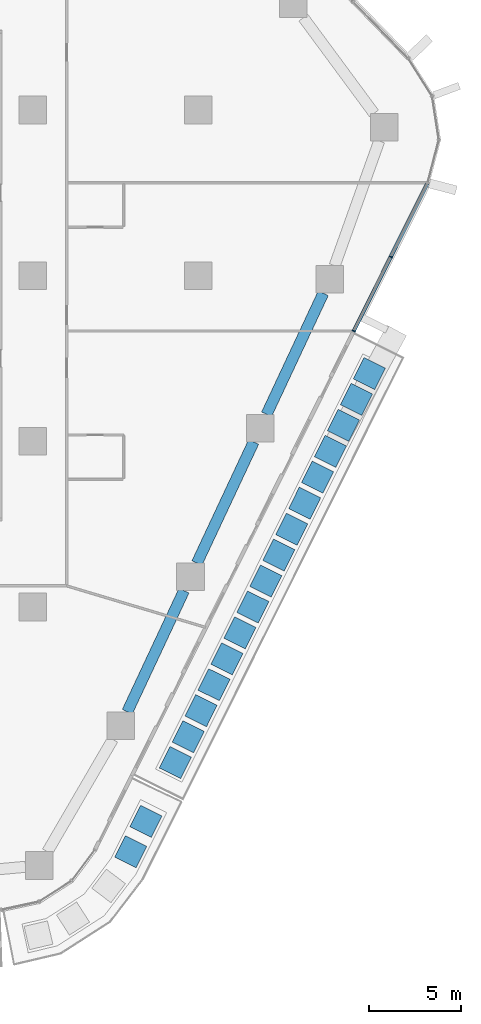
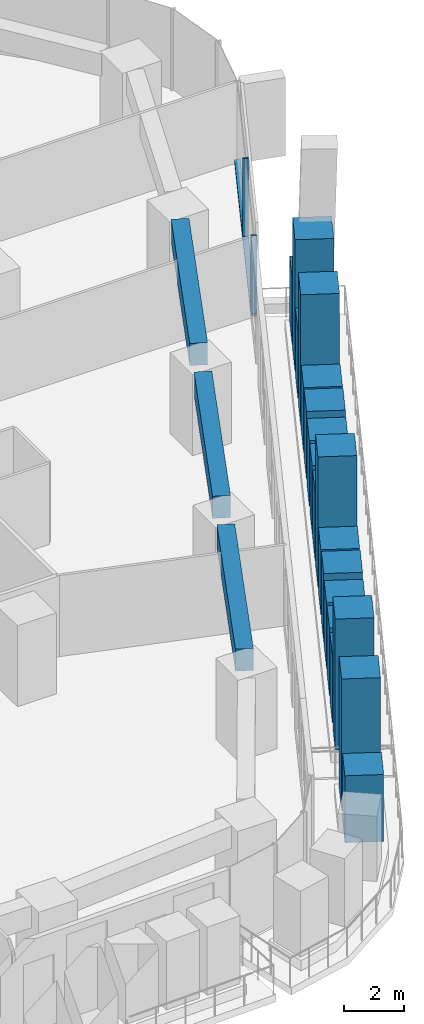
# One storey, part 7 of 26: 21 members, 3 beams, 1 element without a shape of its own.
"""IFC4 building model written with IfcOpenShell, lengths in metres."""

import ifcopenshell
import ifcopenshell.guid

model = None  # the IFC model being written
_history = None  # IfcOwnerHistory: only IFC2X3 demands one
_inside = {}  # id of a spatial element -> (the spatial element, [elements in it])
_under = {}  # id of a project, library or spatial element -> (it, [spatial elements below it])
_declared = {}  # id of a project -> (the project, [libraries it declares])
_typed = {}  # id of a type object -> (the type object, [elements of that type])
_made_of = {}  # id of a material, layer set ... -> (it, [elements and type objects made of it])


def new_model(schema):
    """Start an empty IFC model of exactly this schema.

    Asked for "IFC4X3", IfcOpenShell would pick the latest addendum, in which some entities
    have other attributes; the version numbers below select the first issue.
    IFC2X3 requires an IfcOwnerHistory on every rooted entity: one is made here for all.
    """
    global model, _history
    if schema == "IFC4X3":
        model = ifcopenshell.file(schema_version=(4, 3, 0, 0))
    else:
        model = ifcopenshell.file(schema=schema)
    _inside.clear()
    _under.clear()
    _declared.clear()
    _typed.clear()
    _made_of.clear()
    _history = None
    if model.schema == "IFC2X3":
        org = make("IfcOrganization", Name="unknown")
        user = make(
            "IfcPersonAndOrganization",
            ThePerson=make("IfcPerson", FamilyName="unknown"),
            TheOrganization=org,
        )
        app = make(
            "IfcApplication",
            ApplicationDeveloper=org,
            Version="unknown",
            ApplicationFullName="unknown",
            ApplicationIdentifier="unknown",
        )
        _history = make(
            "IfcOwnerHistory",
            OwningUser=user,
            OwningApplication=app,
            ChangeAction="ADDED",
            CreationDate=0,
        )
    return model


def make(cls, **values):
    """One entity of the class cls with the attributes given. An attribute that is None is left unset."""
    return model.create_entity(
        cls, **{name: value for name, value in values.items() if value is not None}
    )


def rooted(cls, **values):
    """An entity with a GlobalId (a new one), such as an element, a storey or a relation."""
    return make(cls, GlobalId=ifcopenshell.guid.new(), OwnerHistory=_history, **values)


def si_unit(unit_type, name, prefix=None):
    """IfcSIUnit, for example si_unit("LENGTHUNIT", "METRE", prefix="MILLI")."""
    return make("IfcSIUnit", UnitType=unit_type, Prefix=prefix, Name=name)


def assignment(units):
    """IfcUnitAssignment: the units of a project."""
    return None if units is None else make("IfcUnitAssignment", Units=units)


def point(xyz):
    """IfcCartesianPoint."""
    return None if xyz is None else make("IfcCartesianPoint", Coordinates=xyz)


def direction(xyz):
    """IfcDirection."""
    return None if xyz is None else make("IfcDirection", DirectionRatios=xyz)


def frame(location, z_axis=None, x_axis=None):
    """IfcAxis2Placement3D, a coordinate frame: its origin and axes. An axis left out is left unset."""
    return make(
        "IfcAxis2Placement3D",
        Location=point(location),
        Axis=direction(z_axis),
        RefDirection=direction(x_axis),
    )


def frame_2d(location, x_axis=None):
    """IfcAxis2Placement2D, a coordinate frame in the plane: its origin and x axis."""
    return make(
        "IfcAxis2Placement2D", Location=point(location), RefDirection=direction(x_axis)
    )


def origin():
    """The frame at (0, 0, 0) with its axes left unset."""
    return frame((0.0, 0.0, 0.0))


def origin_2d():
    """The frame at (0, 0) in the plane with its x axis left unset."""
    return frame_2d((0.0, 0.0))


def place(relative_to, where):
    """IfcLocalPlacement: puts the frame where relative to a parent placement (None: the world)."""
    return make(
        "IfcLocalPlacement", PlacementRelTo=relative_to, RelativePlacement=where
    )


def context(
    kind, dimensions, precision=None, world=None, true_north=None, identifier=None
):
    """IfcGeometricRepresentationContext, for example the 3D "Model" context."""
    return make(
        "IfcGeometricRepresentationContext",
        ContextIdentifier=identifier,
        ContextType=kind,
        CoordinateSpaceDimension=dimensions,
        Precision=precision,
        WorldCoordinateSystem=world,
        TrueNorth=true_north,
    )


def subcontext(parent, identifier, kind, view, scale=None):
    """IfcGeometricRepresentationSubContext, for example "Body" below "Model"."""
    return make(
        "IfcGeometricRepresentationSubContext",
        ContextIdentifier=identifier,
        ContextType=kind,
        ParentContext=parent,
        TargetScale=scale,
        TargetView=view,
    )


def project(units=None, contexts=None):
    """IfcProject with its units and contexts."""
    return rooted(
        "IfcProject",
        Name="project",
        RepresentationContexts=contexts,
        UnitsInContext=assignment(units),
    )


def spatial(cls, under=None, at=None, **own):
    """A site, building, storey or space (cls), placed at a placement, below another one or the project."""
    s = rooted(cls, ObjectPlacement=at, **own)
    if under is not None:
        _under.setdefault(under.id(), (under, []))[1].append(s)
    return s


def profile(cls, at=None, kind="AREA", **sizes):
    """A parametric profile (cls). Its sizes go by their IFC names, for example OverallWidth=200.0."""
    return make(cls, ProfileType=kind, Position=at, **sizes)


def rectangle(**sizes):
    """IfcRectangleProfileDef."""
    return profile("IfcRectangleProfileDef", **sizes)


def extrude(swept, where, along, depth):
    """IfcExtrudedAreaSolid: the profile swept, set in the frame where, extruded along a direction by depth."""
    return make(
        "IfcExtrudedAreaSolid",
        SweptArea=swept,
        Position=where,
        ExtrudedDirection=direction(along),
        Depth=depth,
    )


def shape(context_of_items, identifier, shape_type, items):
    """IfcShapeRepresentation: the items that make up one representation, for example the "Body"."""
    return make(
        "IfcShapeRepresentation",
        ContextOfItems=context_of_items,
        RepresentationIdentifier=identifier,
        RepresentationType=shape_type,
        Items=items,
    )


def material(Name=None, Category=None):
    """IfcMaterial."""
    return make("IfcMaterial", Name=Name, Category=Category)


def layer(
    of_material, thickness, ventilated=None, Name=None, Category=None, Priority=None
):
    """IfcMaterialLayer: one layer of a wall or slab, of a material (None: an air gap)."""
    return make(
        "IfcMaterialLayer",
        Material=of_material,
        LayerThickness=thickness,
        IsVentilated=ventilated,
        Name=Name,
        Category=Category,
        Priority=Priority,
    )


def layer_set(layers, Name=None):
    """IfcMaterialLayerSet."""
    return make("IfcMaterialLayerSet", MaterialLayers=layers, LayerSetName=Name)


def material_profile(
    of_material, cross_section, Name=None, Category=None, Priority=None
):
    """IfcMaterialProfile: a cross section and its material."""
    return make(
        "IfcMaterialProfile",
        Name=Name,
        Material=of_material,
        Profile=cross_section,
        Priority=Priority,
        Category=Category,
    )


def profile_set(profiles, Name=None, composite=None):
    """IfcMaterialProfileSet."""
    return make(
        "IfcMaterialProfileSet",
        Name=Name,
        MaterialProfiles=profiles,
        CompositeProfile=composite,
    )


def made_of(thing, what):
    """Note that an element or type object is made of a material, layer set ...; save() writes the relation."""
    if what is not None:
        _made_of.setdefault(what.id(), (what, []))[1].append(thing)
    return thing


def type_object(cls, material=None, **own):
    """A type object (cls), such as IfcWallType, which elements share."""
    return made_of(rooted(cls, **own), material)


def element(
    cls,
    number,
    at=None,
    inside=None,
    cuts=None,
    type_object=None,
    material=None,
    context=None,
    identifier="Body",
    shape_type=None,
    held_by="IfcProductDefinitionShape",
    body=None,
    shapes=None,
    **own,
):
    """One element of the class cls, such as IfcWall. Its Tag is "e" and its number.

    at: its placement. inside: the storey or other place that contains it. cuts: it is an
    opening in that element (IfcRelVoidsElement). A single representation is given by context,
    identifier, shape_type and body (its items); several are given by shapes. held_by: the class
    of the entity that holds the representations. save() writes the other relations.
    """
    e = rooted(cls, Tag="e%d" % number, ObjectPlacement=at, **own)
    if body is not None:
        shapes = [shape(context, identifier, shape_type, body)]
    if shapes is not None:
        e.Representation = make(held_by, Representations=shapes)
    if inside is not None:
        _inside.setdefault(inside.id(), (inside, []))[1].append(e)
    if cuts is not None:
        rooted(
            "IfcRelVoidsElement", RelatingBuildingElement=cuts, RelatedOpeningElement=e
        )
    if type_object is not None:
        _typed.setdefault(type_object.id(), (type_object, []))[1].append(e)
    return made_of(e, material)


def aggregate(whole, parts):
    """IfcRelAggregates: a whole, such as a stair, and the parts it consists of."""
    return rooted("IfcRelAggregates", RelatingObject=whole, RelatedObjects=parts)


def save(model, path):
    """Write the relations noted so far, then the file.

    IfcRelAggregates (storeys below a building ...), IfcRelContainedInSpatialStructure (elements
    in a storey), IfcRelDefinesByType, IfcRelAssociatesMaterial and IfcRelDeclares: one each for
    every whole, place, type object, material and project.
    """
    for whole, parts in _under.values():
        aggregate(whole, parts)
    for where, things in _inside.values():
        rooted(
            "IfcRelContainedInSpatialStructure",
            RelatedElements=things,
            RelatingStructure=where,
        )
    for kind, things in _typed.values():
        rooted("IfcRelDefinesByType", RelatedObjects=things, RelatingType=kind)
    for what, things in _made_of.values():
        rooted("IfcRelAssociatesMaterial", RelatedObjects=things, RelatingMaterial=what)
    for by, libraries in _declared.values():
        rooted("IfcRelDeclares", RelatingContext=by, RelatedDefinitions=libraries)
    model.write(path)


model = new_model("IFC4")

# Units and contexts
model_context = context("Model", 3, precision=1e-05, world=origin(), true_north=direction((0.0, 1.0)))
body_context = subcontext(model_context, "Body", "Model", "MODEL_VIEW")
ifc_project = project(units=[si_unit("LENGTHUNIT", "METRE"), si_unit("AREAUNIT", "SQUARE_METRE"), si_unit("VOLUMEUNIT", "CUBIC_METRE"), si_unit("PLANEANGLEUNIT", "RADIAN"), si_unit("MASSUNIT", "GRAM", prefix="KILO")], contexts=[model_context])

# Site, building, storey
site_placement = place(None, origin())
site = spatial("IfcSite", under=ifc_project, at=site_placement, CompositionType="ELEMENT")
building_placement = place(site_placement, origin())
building = spatial("IfcBuilding", under=site, at=building_placement, Name="Dongbaek Canopy Tower", CompositionType="ELEMENT")
storey_placement = place(building_placement, frame((0.0, 0.0, 73.60009765625)))
storey = spatial("IfcBuildingStorey", under=building, at=storey_placement, Name="L14", CompositionType="ELEMENT", Elevation=73.60009765625)

# Curtain wall, members
ifc_material_1 = material(Name="Aluminium 6063-T6 pale anodised", Category="aluminium")
ifc_layer = layer(ifc_material_1, 0.199951171875)
ifc_layer_set = layer_set([ifc_layer], Name="CW-1 unitised tower curtain wall")
curtain_wall_type = type_object("IfcCurtainWallType", Name="CW-1 unitised tower curtain wall", PredefinedType="NOTDEFINED", material=ifc_layer_set)
curtain_wall_placement = place(storey_placement, origin())
curtain_wall = element("IfcCurtainWall", 1, at=curtain_wall_placement, inside=storey, type_object=curtain_wall_type, Name="CW-1 curtain wall F5.1", PredefinedType="NOTDEFINED")
ifc_material_2 = material(Name="Aluminium 6063-T6 pale anodised", Category="aluminium")
ifc_material_profile_1 = material_profile(ifc_material_2, rectangle(XDim=0.199951171875, YDim=0.06005859375, at=origin_2d()), Name="CW-1 mullion 60 x 200")
ifc_profile_set_1 = profile_set([ifc_material_profile_1], Name="Aluminium 6063-T6 pale anodised")
member_type_1 = type_object("IfcMemberType", Name="CW-1 mullion 60 x 200", PredefinedType="MULLION", material=ifc_profile_set_1)
member_1_placement = place(storey_placement, frame((35.447509765625, -3.005126953125, 0.119873046875), z_axis=(0.0, 0.0, 1.0), x_axis=(0.894823312268, -0.446420474241, 0.0)))
member_1 = element("IfcMember", 2, at=member_1_placement, type_object=member_type_1, Name="CW-1 mullion F5.1.1", PredefinedType="MULLION", context=body_context, shape_type="SweptSolid", body=[
    extrude(rectangle(XDim=0.199951171875, YDim=0.06005859375, at=origin_2d()), origin(), (0.0, 0.0, 1.0), 3.179931640625),
])
member_2_placement = place(storey_placement, frame((37.456298828125, 1.021484375, 0.119873046875), z_axis=(0.0, 0.0, 1.0), x_axis=(0.894823312268, -0.446420474241, 0.0)))
member_2 = element("IfcMember", 3, at=member_2_placement, type_object=member_type_1, Name="CW-1 mullion F5.1.2", PredefinedType="MULLION", context=body_context, shape_type="SweptSolid", body=[
    extrude(rectangle(XDim=0.199951171875, YDim=0.06005859375, at=origin_2d()), origin(), (0.0, 0.0, 1.0), 3.179931640625),
])
ifc_material_3 = material(Name="Aluminium 6063-T6 pale anodised", Category="aluminium")
ifc_material_profile_2 = material_profile(ifc_material_3, rectangle(XDim=0.199951171875, YDim=0.1201171875, at=origin_2d()), Name="CW-1 transom 120 x 200")
ifc_profile_set_2 = profile_set([ifc_material_profile_2], Name="Aluminium 6063-T6 pale anodised")
member_type_2 = type_object("IfcMemberType", Name="CW-1 transom 120 x 200", PredefinedType="USERDEFINED", material=ifc_profile_set_2)
member_3_placement = place(storey_placement, frame((35.447509765625, -3.005126953125, 0.059814453125), z_axis=(0.446420411089, 0.894823343774, 0.0), x_axis=(-0.894823343774, 0.446420411089, 0.0)))
member_3 = element("IfcMember", 4, at=member_3_placement, type_object=member_type_2, Name="CW-1 transom F5.1.1", ObjectType="TRANSOM", PredefinedType="USERDEFINED", context=body_context, shape_type="SweptSolid", body=[
    extrude(rectangle(XDim=0.199951171875, YDim=0.1201171875, at=origin_2d()), origin(), (0.0, 0.0, 1.0), 8.98974609375),
])
aggregate(curtain_wall, [member_1, member_2, member_3])

# Beams
ifc_material_4 = material(Name="Concrete C80", Category="concrete")
ifc_material_profile_3 = material_profile(ifc_material_4, rectangle(XDim=0.60009765625, YDim=0.89990234375, at=origin_2d()), Name="RC EDGE BEAM 600x900 C80")
ifc_profile_set_3 = profile_set([ifc_material_profile_3], Name="Concrete C80")
beam_type = type_object("IfcBeamType", Name="RC EDGE BEAM 600x900 C80", PredefinedType="BEAM", material=ifc_profile_set_3)
beam_1_placement = place(storey_placement, frame((33.791748046875, -0.955078125, 2.849853515625), z_axis=(-0.424064450026, -0.905632012588, 0.0), x_axis=(0.905632012588, -0.424064450026, 0.0)))
element("IfcBeam", 5, at=beam_1_placement, inside=storey, type_object=beam_type, Name="EDGEBEAM:L14:22", PredefinedType="BEAM", context=body_context, shape_type="SweptSolid", body=[
    extrude(rectangle(XDim=0.60009765625, YDim=0.89990234375, at=origin_2d()), origin(), (0.0, 0.0, 1.0), 7.264404296875),
])
beam_2_placement = place(storey_placement, frame((30.0087890625, -9.033935546875, 2.849853515625), z_axis=(-0.424110161641, -0.905610606604, 0.0), x_axis=(0.905610606604, -0.424110161641, 0.0)))
element("IfcBeam", 6, at=beam_2_placement, inside=storey, type_object=beam_type, Name="EDGEBEAM:L14:23", PredefinedType="BEAM", context=body_context, shape_type="SweptSolid", body=[
    extrude(rectangle(XDim=0.60009765625, YDim=0.89990234375, at=origin_2d()), origin(), (0.0, 0.0, 1.0), 7.265869140625),
])
beam_3_placement = place(storey_placement, frame((26.224609375, -17.114013671875, 2.849853515625), z_axis=(-0.42413422917, -0.905599335052, 0.0), x_axis=(0.905599335052, -0.42413422917, 0.0)))
element("IfcBeam", 7, at=beam_3_placement, inside=storey, type_object=beam_type, Name="EDGEBEAM:L14:24", PredefinedType="BEAM", context=body_context, shape_type="SweptSolid", body=[
    extrude(rectangle(XDim=0.60009765625, YDim=0.89990234375, at=origin_2d()), origin(), (0.0, 0.0, 1.0), 7.264892578125),
])

# Members
ifc_material_5 = material(Name="Concrete C40/50 planter mass with planting", Category="concrete")
ifc_material_profile_4 = material_profile(ifc_material_5, rectangle(XDim=1.300048828125, YDim=1.300048828125, at=origin_2d()), Name="Terrace PLANTER shrub mass 1300 x 1300")
ifc_profile_set_4 = profile_set([ifc_material_profile_4], Name="Concrete C40/50 planter mass with planting")
member_type_3 = type_object("IfcMemberType", Name="Terrace PLANTER shrub mass 1300 x 1300", PredefinedType="USERDEFINED", material=ifc_profile_set_4)
member_4_placement = place(storey_placement, frame((25.749267578125, -26.4541015625, 0.419921875), z_axis=(0.0, 0.0, 1.0), x_axis=(0.894823312268, -0.446420474241, 0.0)))
element("IfcMember", 8, at=member_4_placement, inside=storey, type_object=member_type_3, Name="Planter tree L14 5.1", ObjectType="PLANTER", PredefinedType="USERDEFINED", context=body_context, shape_type="SweptSolid", body=[
    extrude(rectangle(XDim=1.300048828125, YDim=1.300048828125, at=origin_2d()), origin(), (0.0, 0.0, 1.0), 5.330078125),
])
member_5_placement = place(storey_placement, frame((26.452392578125, -25.044921875, 0.419921875), z_axis=(0.0, 0.0, 1.0), x_axis=(0.894823312268, -0.446420474241, 0.0)))
element("IfcMember", 9, at=member_5_placement, inside=storey, type_object=member_type_3, Name="Planter shrubs L14 5.2", ObjectType="PLANTER", PredefinedType="USERDEFINED", context=body_context, shape_type="SweptSolid", body=[
    extrude(rectangle(XDim=1.300048828125, YDim=1.300048828125, at=origin_2d()), origin(), (0.0, 0.0, 1.0), 2.780029296875),
])
member_6_placement = place(storey_placement, frame((27.155517578125, -23.635498046875, 0.419921875), z_axis=(0.0, 0.0, 1.0), x_axis=(0.894823312268, -0.446420474241, 0.0)))
element("IfcMember", 10, at=member_6_placement, inside=storey, type_object=member_type_3, Name="Planter shrubs L14 5.3", ObjectType="PLANTER", PredefinedType="USERDEFINED", context=body_context, shape_type="SweptSolid", body=[
    extrude(rectangle(XDim=1.300048828125, YDim=1.300048828125, at=origin_2d()), origin(), (0.0, 0.0, 1.0), 2.77001953125),
])
member_7_placement = place(storey_placement, frame((27.858642578125, -22.22607421875, 0.419921875), z_axis=(0.0, 0.0, 1.0), x_axis=(0.894823312268, -0.446420474241, 0.0)))
element("IfcMember", 11, at=member_7_placement, inside=storey, type_object=member_type_3, Name="Planter shrubs L14 5.4", ObjectType="PLANTER", PredefinedType="USERDEFINED", context=body_context, shape_type="SweptSolid", body=[
    extrude(rectangle(XDim=1.300048828125, YDim=1.300048828125, at=origin_2d()), origin(), (0.0, 0.0, 1.0), 2.68994140625),
])
member_8_placement = place(storey_placement, frame((28.561767578125, -20.81689453125, 0.419921875), z_axis=(0.0, 0.0, 1.0), x_axis=(0.894823312268, -0.446420474241, 0.0)))
element("IfcMember", 12, at=member_8_placement, inside=storey, type_object=member_type_3, Name="Planter shrubs L14 5.5", ObjectType="PLANTER", PredefinedType="USERDEFINED", context=body_context, shape_type="SweptSolid", body=[
    extrude(rectangle(XDim=1.300048828125, YDim=1.300048828125, at=origin_2d()), origin(), (0.0, 0.0, 1.0), 2.780029296875),
])
member_9_placement = place(storey_placement, frame((29.264892578125, -19.407470703125, 0.419921875), z_axis=(0.0, 0.0, 1.0), x_axis=(0.894823312268, -0.446420474241, 0.0)))
element("IfcMember", 13, at=member_9_placement, inside=storey, type_object=member_type_3, Name="Planter shrubs L14 5.6", ObjectType="PLANTER", PredefinedType="USERDEFINED", context=body_context, shape_type="SweptSolid", body=[
    extrude(rectangle(XDim=1.300048828125, YDim=1.300048828125, at=origin_2d()), origin(), (0.0, 0.0, 1.0), 2.64990234375),
])
member_10_placement = place(storey_placement, frame((29.968017578125, -17.998291015625, 0.419921875), z_axis=(0.0, 0.0, 1.0), x_axis=(0.894823312268, -0.446420474241, 0.0)))
element("IfcMember", 14, at=member_10_placement, inside=storey, type_object=member_type_3, Name="Planter tree L14 5.7", ObjectType="PLANTER", PredefinedType="USERDEFINED", context=body_context, shape_type="SweptSolid", body=[
    extrude(rectangle(XDim=1.300048828125, YDim=1.300048828125, at=origin_2d()), origin(), (0.0, 0.0, 1.0), 5.330078125),
])
member_11_placement = place(storey_placement, frame((30.671142578125, -16.5888671875, 0.419921875), z_axis=(0.0, 0.0, 1.0), x_axis=(0.894823312268, -0.446420474241, 0.0)))
element("IfcMember", 15, at=member_11_placement, inside=storey, type_object=member_type_3, Name="Planter shrubs L14 5.8", ObjectType="PLANTER", PredefinedType="USERDEFINED", context=body_context, shape_type="SweptSolid", body=[
    extrude(rectangle(XDim=1.300048828125, YDim=1.300048828125, at=origin_2d()), origin(), (0.0, 0.0, 1.0), 2.780029296875),
])
member_12_placement = place(storey_placement, frame((31.3740234375, -15.179443359375, 0.419921875), z_axis=(0.0, 0.0, 1.0), x_axis=(0.894823312268, -0.446420474241, 0.0)))
element("IfcMember", 16, at=member_12_placement, inside=storey, type_object=member_type_3, Name="Planter shrubs L14 5.9", ObjectType="PLANTER", PredefinedType="USERDEFINED", context=body_context, shape_type="SweptSolid", body=[
    extrude(rectangle(XDim=1.300048828125, YDim=1.300048828125, at=origin_2d()), origin(), (0.0, 0.0, 1.0), 2.77001953125),
])
member_13_placement = place(storey_placement, frame((32.0771484375, -13.770263671875, 0.419921875), z_axis=(0.0, 0.0, 1.0), x_axis=(0.894823312268, -0.446420474241, 0.0)))
element("IfcMember", 17, at=member_13_placement, inside=storey, type_object=member_type_3, Name="Planter shrubs L14 5.10", ObjectType="PLANTER", PredefinedType="USERDEFINED", context=body_context, shape_type="SweptSolid", body=[
    extrude(rectangle(XDim=1.300048828125, YDim=1.300048828125, at=origin_2d()), origin(), (0.0, 0.0, 1.0), 2.68994140625),
])
member_14_placement = place(storey_placement, frame((32.7802734375, -12.36083984375, 0.419921875), z_axis=(0.0, 0.0, 1.0), x_axis=(0.894823312268, -0.446420474241, 0.0)))
element("IfcMember", 18, at=member_14_placement, inside=storey, type_object=member_type_3, Name="Planter shrubs L14 5.11", ObjectType="PLANTER", PredefinedType="USERDEFINED", context=body_context, shape_type="SweptSolid", body=[
    extrude(rectangle(XDim=1.300048828125, YDim=1.300048828125, at=origin_2d()), origin(), (0.0, 0.0, 1.0), 2.780029296875),
])
member_15_placement = place(storey_placement, frame((33.4833984375, -10.95166015625, 0.419921875), z_axis=(0.0, 0.0, 1.0), x_axis=(0.894823312268, -0.446420474241, 0.0)))
element("IfcMember", 19, at=member_15_placement, inside=storey, type_object=member_type_3, Name="Planter shrubs L14 5.12", ObjectType="PLANTER", PredefinedType="USERDEFINED", context=body_context, shape_type="SweptSolid", body=[
    extrude(rectangle(XDim=1.300048828125, YDim=1.300048828125, at=origin_2d()), origin(), (0.0, 0.0, 1.0), 2.64990234375),
])
member_16_placement = place(storey_placement, frame((34.1865234375, -9.542236328125, 0.419921875), z_axis=(0.0, 0.0, 1.0), x_axis=(0.894823312268, -0.446420474241, 0.0)))
element("IfcMember", 20, at=member_16_placement, inside=storey, type_object=member_type_3, Name="Planter tree L14 5.13", ObjectType="PLANTER", PredefinedType="USERDEFINED", context=body_context, shape_type="SweptSolid", body=[
    extrude(rectangle(XDim=1.300048828125, YDim=1.300048828125, at=origin_2d()), origin(), (0.0, 0.0, 1.0), 5.330078125),
])
member_17_placement = place(storey_placement, frame((34.8896484375, -8.1328125, 0.419921875), z_axis=(0.0, 0.0, 1.0), x_axis=(0.894823312268, -0.446420474241, 0.0)))
element("IfcMember", 21, at=member_17_placement, inside=storey, type_object=member_type_3, Name="Planter shrubs L14 5.14", ObjectType="PLANTER", PredefinedType="USERDEFINED", context=body_context, shape_type="SweptSolid", body=[
    extrude(rectangle(XDim=1.300048828125, YDim=1.300048828125, at=origin_2d()), origin(), (0.0, 0.0, 1.0), 2.780029296875),
])
member_18_placement = place(storey_placement, frame((35.5927734375, -6.7236328125, 0.419921875), z_axis=(0.0, 0.0, 1.0), x_axis=(0.894823312268, -0.446420474241, 0.0)))
element("IfcMember", 22, at=member_18_placement, inside=storey, type_object=member_type_3, Name="Planter tree L14 5.15", ObjectType="PLANTER", PredefinedType="USERDEFINED", context=body_context, shape_type="SweptSolid", body=[
    extrude(rectangle(XDim=1.300048828125, YDim=1.300048828125, at=origin_2d()), origin(), (0.0, 0.0, 1.0), 5.369873046875),
])
member_19_placement = place(storey_placement, frame((36.2958984375, -5.314208984375, 0.419921875), z_axis=(0.0, 0.0, 1.0), x_axis=(0.894823312268, -0.446420474241, 0.0)))
element("IfcMember", 23, at=member_19_placement, inside=storey, type_object=member_type_3, Name="Planter shrubs L14 5.16", ObjectType="PLANTER", PredefinedType="USERDEFINED", context=body_context, shape_type="SweptSolid", body=[
    extrude(rectangle(XDim=1.300048828125, YDim=1.300048828125, at=origin_2d()), origin(), (0.0, 0.0, 1.0), 2.68994140625),
])
member_20_placement = place(storey_placement, frame((23.328125, -31.2958984375, 0.419921875), z_axis=(0.0, 0.0, 1.0), x_axis=(0.894005773786, -0.448055439021, 0.0)))
element("IfcMember", 24, at=member_20_placement, inside=storey, type_object=member_type_3, Name="Planter shrubs L14 8.4", ObjectType="PLANTER", PredefinedType="USERDEFINED", context=body_context, shape_type="SweptSolid", body=[
    extrude(rectangle(XDim=1.300048828125, YDim=1.300048828125, at=origin_2d()), origin(), (0.0, 0.0, 1.0), 2.72998046875),
])
member_21_placement = place(storey_placement, frame((24.1572265625, -29.641357421875, 0.419921875), z_axis=(0.0, 0.0, 1.0), x_axis=(0.894005773786, -0.448055439021, 0.0)))
element("IfcMember", 25, at=member_21_placement, inside=storey, type_object=member_type_3, Name="Planter tree L14 8.5", ObjectType="PLANTER", PredefinedType="USERDEFINED", context=body_context, shape_type="SweptSolid", body=[
    extrude(rectangle(XDim=1.300048828125, YDim=1.300048828125, at=origin_2d()), origin(), (0.0, 0.0, 1.0), 5.3798828125),
])

save(model, "model.ifc")
